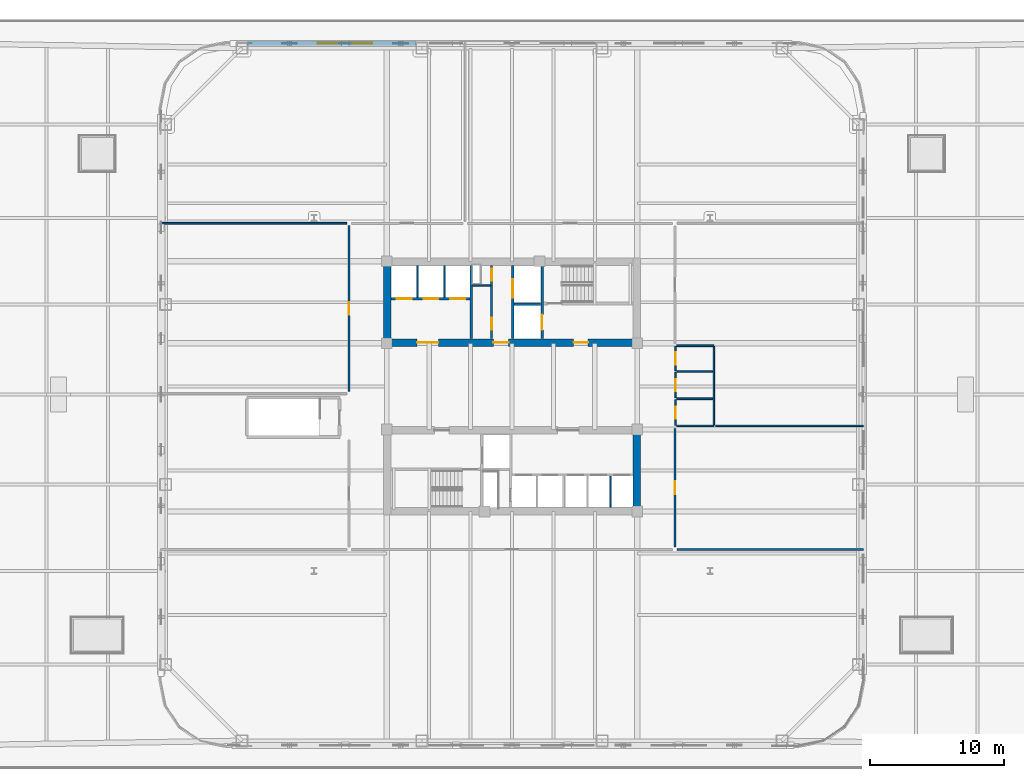
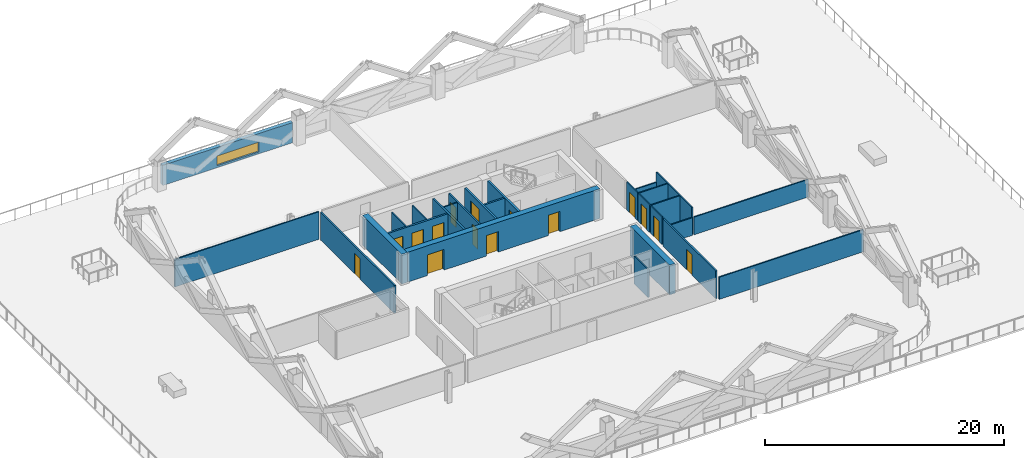
# One storey, part 8 of 17: 27 walls, 15 doors, 1 window, 16 openings.
"""IFC4 building model written with IfcOpenShell, lengths in metres."""

from ifc_helpers import new_model, si_unit, direction, frame, frame_2d, origin, place, context, subcontext, project, spatial, rectangle, extrude, material, layer, layer_set, type_object, element, fill, save


model = new_model("IFC4")

# Units and contexts
model_context = context("Model", 3, precision=1e-05, world=origin(), true_north=direction((0.0, 1.0)))
body_context = subcontext(model_context, "Body", "Model", "MODEL_VIEW")
ifc_project = project(units=[si_unit("LENGTHUNIT", "METRE"), si_unit("AREAUNIT", "SQUARE_METRE"), si_unit("VOLUMEUNIT", "CUBIC_METRE"), si_unit("PLANEANGLEUNIT", "RADIAN"), si_unit("MASSUNIT", "GRAM", prefix="KILO")], contexts=[model_context])

# Site, building, storey
site_placement = place(None, origin())
site = spatial("IfcSite", under=ifc_project, at=site_placement, CompositionType="ELEMENT")
building_placement = place(site_placement, origin())
building = spatial("IfcBuilding", under=site, at=building_placement, Name="Qhalaya Broadcast Tower", CompositionType="ELEMENT")
storey_placement = place(building_placement, frame((0.0, 0.0, 26.10009765625)))
storey = spatial("IfcBuildingStorey", under=building, at=storey_placement, Name="L06", CompositionType="ELEMENT", Elevation=26.10009765625)

# Wall, openings, doors
ifc_material_1 = material(Name="Gypsum Acoustic Partition")
ifc_layer_1 = layer(ifc_material_1, 0.14990234375, Name="Gypsum Acoustic Partition")
ifc_layer_set_1 = layer_set([ifc_layer_1], Name="Gypsum Acoustic Partition")
wall_type_1 = type_object("IfcWallType", Name="Corridor & Tenancy Acoustic Partition 150", PredefinedType="PARTITIONING", material=ifc_layer_set_1)
wall_1_placement = place(storey_placement, frame((-1.52001953125, 4.169921875, 0.0), z_axis=(0.0, 0.0, 1.0), x_axis=(0.0, 1.0, 0.0)))
wall_1 = element("IfcWall", 1, at=wall_1_placement, inside=storey, type_object=wall_type_1, Name="L06 Partition Wall NCW-SVL", PredefinedType="PARTITIONING", context=body_context, shape_type="SweptSolid", body=[
    extrude(rectangle(XDim=5.4599609375, YDim=0.14990234375, at=frame_2d((2.72998046875, 0.0))), origin(), (0.0, 0.0, 1.0), 2.829833984375),
])
opening_1_placement = place(wall_1_placement, frame((4.330078125, 0.0, 0.0)))
opening_1 = element("IfcOpeningElement", 2, at=opening_1_placement, cuts=wall_1, Name="Opening D06", PredefinedType="OPENING", context=body_context, shape_type="SweptSolid", body=[
    extrude(rectangle(XDim=0.89990234375, YDim=2.050048828125, at=frame_2d((0.449951171875, 1.02490234375))), frame((0.0, 0.0869140625, 0.0), z_axis=(0.0, -1.0, 0.0), x_axis=(1.0, 0.0, 0.0)), (0.0, 0.0, 1.0), 0.173828125),
])
opening_2_placement = place(wall_1_placement, frame((0.64990234375, 0.0, 0.0)))
opening_2 = element("IfcOpeningElement", 3, at=opening_2_placement, cuts=wall_1, Name="Opening D06", PredefinedType="OPENING", context=body_context, shape_type="SweptSolid", body=[
    extrude(rectangle(XDim=0.89990234375, YDim=2.050048828125, at=frame_2d((0.449951171875, 1.02490234375))), frame((0.0, 0.0869140625, 0.0), z_axis=(0.0, -1.0, 0.0), x_axis=(1.0, 0.0, 0.0)), (0.0, 0.0, 1.0), 0.173828125),
])
ifc_material_2 = material(Name="Fire-Rated Steel Door", Category="steel")
door_type_1 = type_object("IfcDoorType", Name="Riser & Electrical Shaft Access Door D06", OperationType="NOTDEFINED", PredefinedType="DOOR", material=ifc_material_2)
door_1_placement = place(opening_1_placement, origin())
door_1 = element("IfcDoor", 4, at=door_1_placement, inside=storey, type_object=door_type_1, Name="L06 Riser Shaft Access Door D-NRSR", OperationType="SINGLE_SWING_RIGHT", OverallHeight=2.050048828125, OverallWidth=0.89990234375, PredefinedType="DOOR", context=body_context, shape_type="SweptSolid", body=[
    extrude(rectangle(XDim=0.89990234375, YDim=2.050048828125, at=frame_2d((0.449951171875, 1.02490234375))), frame((0.0, 0.02490234375, 0.0), z_axis=(0.0, -1.0, 0.0), x_axis=(1.0, 0.0, 0.0)), (0.0, 0.0, 1.0), 0.050048828125),
])
fill(opening_1, door_1)
door_2_placement = place(opening_2_placement, origin())
door_2 = element("IfcDoor", 5, at=door_2_placement, inside=storey, type_object=door_type_1, Name="L06 Door D-NCST", OperationType="SINGLE_SWING_LEFT", OverallHeight=2.050048828125, OverallWidth=0.89990234375, PredefinedType="DOOR", context=body_context, shape_type="SweptSolid", body=[
    extrude(rectangle(XDim=0.89990234375, YDim=2.050048828125, at=frame_2d((0.449951171875, 1.02490234375))), frame((0.0, 0.02490234375, 0.0), z_axis=(0.0, -1.0, 0.0), x_axis=(1.0, 0.0, 0.0)), (0.0, 0.0, 1.0), 0.050048828125),
])
fill(opening_2, door_2)

# Wall, opening, door
wall_2_placement = place(storey_placement, frame((-12.199951171875, 0.22998046875, 0.0), z_axis=(0.0, 0.0, 1.0), x_axis=(0.0, 1.0, 0.0)))
wall_2 = element("IfcWall", 6, at=wall_2_placement, inside=storey, type_object=wall_type_1, Name="L06 Partition Wall W-COR-05", PredefinedType="PARTITIONING", context=body_context, shape_type="SweptSolid", body=[
    extrude(rectangle(XDim=12.39013671875, YDim=0.14990234375, at=frame_2d((6.195068359375, 0.0))), origin(), (0.0, 0.0, 1.0), 2.829833984375),
])
opening_3_placement = place(wall_2_placement, frame((5.719970703125, 0.0, 0.0)))
opening_3 = element("IfcOpeningElement", 7, at=opening_3_placement, cuts=wall_2, Name="Opening D10", PredefinedType="OPENING", context=body_context, shape_type="SweptSolid", body=[
    extrude(rectangle(XDim=0.949951171875, YDim=2.10009765625, at=frame_2d((0.47509765625, 1.050048828125))), frame((0.0, 0.0869140625, 0.0), z_axis=(0.0, -1.0, 0.0), x_axis=(1.0, 0.0, 0.0)), (0.0, 0.0, 1.0), 0.173828125),
])
ifc_material_3 = material(Name="Timber Veneer Acoustic Door", Category="wood")
door_type_2 = type_object("IfcDoorType", Name="Cellular Office & Edit Booth Door D10", OperationType="NOTDEFINED", PredefinedType="DOOR", material=ifc_material_3)
door_3_placement = place(opening_3_placement, origin())
door_3 = element("IfcDoor", 8, at=door_3_placement, inside=storey, type_object=door_type_2, Name="L06 Door D-RM05", OperationType="SINGLE_SWING_RIGHT", OverallHeight=2.10009765625, OverallWidth=0.949951171875, PredefinedType="DOOR", context=body_context, shape_type="SweptSolid", body=[
    extrude(rectangle(XDim=0.949951171875, YDim=2.10009765625, at=frame_2d((0.47509765625, 1.050048828125))), frame((0.0, 0.02490234375, 0.0), z_axis=(0.0, -1.0, 0.0), x_axis=(1.0, 0.0, 0.0)), (0.0, 0.0, 1.0), 0.050048828125),
])
fill(opening_3, door_3)

wall_3_placement = place(storey_placement, frame((12.199951171875, -11.39990234375, 0.0), z_axis=(0.0, 0.0, 1.0), x_axis=(0.0, 1.0, 0.0)))
wall_3 = element("IfcWall", 9, at=wall_3_placement, inside=storey, type_object=wall_type_1, Name="L06 Partition Wall W-COR-06", PredefinedType="PARTITIONING", context=body_context, shape_type="SweptSolid", body=[
    extrude(rectangle(XDim=8.83984375, YDim=0.14990234375, at=frame_2d((4.419921875, 0.0))), origin(), (0.0, 0.0, 1.0), 2.829833984375),
])
opening_4_placement = place(wall_3_placement, frame((3.945068359375, 0.0, 0.0)))
opening_4 = element("IfcOpeningElement", 10, at=opening_4_placement, cuts=wall_3, Name="Opening D10", PredefinedType="OPENING", context=body_context, shape_type="SweptSolid", body=[
    extrude(rectangle(XDim=0.949951171875, YDim=2.10009765625, at=frame_2d((0.47509765625, 1.050048828125))), frame((0.0, 0.0869140625, 0.0), z_axis=(0.0, -1.0, 0.0), x_axis=(1.0, 0.0, 0.0)), (0.0, 0.0, 1.0), 0.173828125),
])
door_4_placement = place(opening_4_placement, origin())
door_4 = element("IfcDoor", 11, at=door_4_placement, inside=storey, type_object=door_type_2, Name="L06 Door D-RM06", OperationType="SINGLE_SWING_LEFT", OverallHeight=2.10009765625, OverallWidth=0.949951171875, PredefinedType="DOOR", context=body_context, shape_type="SweptSolid", body=[
    extrude(rectangle(XDim=0.949951171875, YDim=2.10009765625, at=frame_2d((0.47509765625, 1.050048828125))), frame((0.0, 0.02490234375, 0.0), z_axis=(0.0, -1.0, 0.0), x_axis=(1.0, 0.0, 0.0)), (0.0, 0.0, 1.0), 0.050048828125),
])
fill(opening_4, door_4)

# Wall, opening, window
ifc_material_4 = material(Name="Precast Concrete C40/50", Category="concrete")
ifc_layer_2 = layer(ifc_material_4, 0.360107421875, Name="Precast Concrete C40/50")
ifc_layer_set_2 = layer_set([ifc_layer_2], Name="Precast Concrete C40/50")
wall_type_2 = type_object("IfcWallType", Name="Insulated Precast Terracotta Exterior Wall 360", PredefinedType="SOLIDWALL", material=ifc_layer_set_2)
wall_4_placement = place(storey_placement, frame((-19.761962890625, 26.260009765625, 0.0), z_axis=(0.0, 0.0, 1.0), x_axis=(1.0, 0.0, 0.0)))
wall_4 = element("IfcWall", 12, at=wall_4_placement, inside=storey, type_object=wall_type_2, Name="L06 Exoskeleton Diagrid Infill Wall N1", PredefinedType="SOLIDWALL", context=body_context, shape_type="SweptSolid", body=[
    extrude(rectangle(XDim=12.57861328125, YDim=0.360107421875, at=frame_2d((6.289306640625, 0.0))), origin(), (0.0, 0.0, 1.0), 2.06689453125),
])
opening_5_placement = place(wall_4_placement, frame((5.25, 0.0, 0.199951171875)))
opening_5 = element("IfcOpeningElement", 13, at=opening_5_placement, cuts=wall_4, Name="Opening W11", PredefinedType="OPENING", context=body_context, shape_type="SweptSolid", body=[
    extrude(rectangle(XDim=4.050048828125, YDim=1.0, at=frame_2d((2.02490234375, 0.5))), frame((0.0, 0.192138671875, 0.0), z_axis=(0.0, -1.0, 0.0), x_axis=(1.0, 0.0, 0.0)), (0.0, 0.0, 1.0), 0.384033203125),
])
ifc_material_5 = material(Name="Solar-Control Low-E Triple Glazing", Category="glass")
window_type = type_object("IfcWindowType", Name="Odd-Block Diagrid Infill Window W11", PartitioningType="SINGLE_PANEL", PredefinedType="WINDOW", material=ifc_material_5)
window_placement = place(opening_5_placement, origin())
window = element("IfcWindow", 14, at=window_placement, inside=storey, type_object=window_type, Name="L06 Diagrid Infill Window W11-N1", OverallHeight=1.0, OverallWidth=4.050048828125, PartitioningType="SINGLE_PANEL", PredefinedType="WINDOW", context=body_context, shape_type="SweptSolid", body=[
    extrude(rectangle(XDim=4.050048828125, YDim=1.0, at=frame_2d((2.02490234375, 0.5))), frame((0.0, 0.030029296875, 0.0), z_axis=(0.0, -1.0, 0.0), x_axis=(1.0, 0.0, 0.0)), (0.0, 0.0, 1.0), 0.06005859375),
])
fill(opening_5, window)

# Wall, opening, door
ifc_material_6 = material(Name="Concrete C50/60", Category="concrete")
ifc_layer_3 = layer(ifc_material_6, 0.199951171875, Name="Concrete C50/60")
ifc_layer_set_3 = layer_set([ifc_layer_3], Name="Concrete C50/60")
wall_type_3 = type_object("IfcWallType", Name="Load-Bearing Stair Shaft Wall 200", PredefinedType="SHEAR", material=ifc_layer_set_3)
wall_5_placement = place(storey_placement, frame((2.25, 4.169921875, 0.0), z_axis=(0.0, 0.0, 1.0), x_axis=(0.0, 1.0, 0.0)))
wall_5 = element("IfcWall", 15, at=wall_5_placement, inside=storey, type_object=wall_type_3, Name="L06 Stair Core Shear Wall NCW-FF", PredefinedType="SHEAR", context=body_context, shape_type="SweptSolid", body=[
    extrude(rectangle(XDim=5.4599609375, YDim=0.199951171875, at=frame_2d((2.72998046875, 0.0))), origin(), (0.0, 0.0, 1.0), 2.829833984375),
])
opening_6_placement = place(wall_5_placement, frame((0.64990234375, 0.0, 0.0)))
opening_6 = element("IfcOpeningElement", 16, at=opening_6_placement, cuts=wall_5, Name="Opening LD2", PredefinedType="OPENING", context=body_context, shape_type="SweptSolid", body=[
    extrude(rectangle(XDim=1.14990234375, YDim=2.080078125, at=frame_2d((0.574951171875, 1.0400390625))), frame((0.0, 0.112060546875, 0.0), z_axis=(0.0, -1.0, 0.0), x_axis=(1.0, 0.0, 0.0)), (0.0, 0.0, 1.0), 0.223876953125),
])
ifc_material_7 = material(Name="Brushed Stainless Steel Lift Door", Category="steel")
door_type_3 = type_object("IfcDoorType", Name="Firefighting Lift Sliding Landing Door LD2", OperationType="DOUBLE_DOOR_SLIDING", PredefinedType="DOOR", material=ifc_material_7)
door_5_placement = place(opening_6_placement, origin())
door_5 = element("IfcDoor", 17, at=door_5_placement, inside=storey, type_object=door_type_3, Name="L06 Door LD-FF1", OperationType="DOUBLE_DOOR_SLIDING", OverallHeight=2.080078125, OverallWidth=1.14990234375, PredefinedType="DOOR", context=body_context, shape_type="SweptSolid", body=[
    extrude(rectangle(XDim=1.14990234375, YDim=2.080078125, at=frame_2d((0.574951171875, 1.0400390625))), frame((0.0, 0.02490234375, 0.0), z_axis=(0.0, -1.0, 0.0), x_axis=(1.0, 0.0, 0.0)), (0.0, 0.0, 1.0), 0.050048828125),
])
fill(opening_6, door_5)

# Wall, openings, doors
ifc_material_8 = material(Name="Concrete C60/75", Category="concrete")
ifc_layer_4 = layer(ifc_material_8, 0.550048828125, Name="Concrete C60/75")
ifc_layer_set_4 = layer_set([ifc_layer_4], Name="Concrete C60/75")
wall_type_4 = type_object("IfcWallType", Name="Lower Split-Core Shear Wall 550", PredefinedType="SHEAR", material=ifc_layer_set_4)
wall_6_placement = place(storey_placement, frame((-9.60009765625, 3.875, 0.0), z_axis=(0.0, 0.0, 1.0), x_axis=(1.0, 0.0, 0.0)))
wall_6 = element("IfcWall", 18, at=wall_6_placement, inside=storey, type_object=wall_type_4, Name="L06 Split-Core Shear Wall CW-NS", PredefinedType="SHEAR", context=body_context, shape_type="SweptSolid", body=[
    extrude(rectangle(XDim=19.2001953125, YDim=0.550048828125, at=frame_2d((9.60009765625, 0.0))), origin(), (0.0, 0.0, 1.0), 3.0498046875),
])
opening_7_placement = place(wall_6_placement, frame((14.199951171875, 0.0, 0.0)))
opening_7 = element("IfcOpeningElement", 19, at=opening_7_placement, cuts=wall_6, Name="Opening D04", PredefinedType="OPENING", context=body_context, shape_type="SweptSolid", body=[
    extrude(rectangle(XDim=1.10009765625, YDim=2.080078125, at=frame_2d((0.550048828125, 1.0400390625))), frame((0.0, 0.287109375, 0.0), z_axis=(0.0, -1.0, 0.0), x_axis=(1.0, 0.0, 0.0)), (0.0, 0.0, 1.0), 0.573974609375),
])
opening_8_placement = place(wall_6_placement, frame((8.199951171875, 0.0, 0.0)))
opening_8 = element("IfcOpeningElement", 20, at=opening_8_placement, cuts=wall_6, Name="Opening D05", PredefinedType="OPENING", context=body_context, shape_type="SweptSolid", body=[
    extrude(rectangle(XDim=1.14990234375, YDim=2.10009765625, at=frame_2d((0.574951171875, 1.050048828125))), frame((0.0, 0.287109375, 0.0), z_axis=(0.0, -1.0, 0.0), x_axis=(1.0, 0.0, 0.0)), (0.0, 0.0, 1.0), 0.573974609375),
])
opening_9_placement = place(wall_6_placement, frame((2.5, 0.0, 0.0)))
opening_9 = element("IfcOpeningElement", 21, at=opening_9_placement, cuts=wall_6, Name="Opening D07", PredefinedType="OPENING", context=body_context, shape_type="SweptSolid", body=[
    extrude(rectangle(XDim=1.60009765625, YDim=2.1201171875, at=frame_2d((0.800048828125, 1.06005859375))), frame((0.0, 0.287109375, 0.0), z_axis=(0.0, -1.0, 0.0), x_axis=(1.0, 0.0, 0.0)), (0.0, 0.0, 1.0), 0.573974609375),
])
door_type_4 = type_object("IfcDoorType", Name="Firefighting Lobby Rated Door D04", OperationType="NOTDEFINED", PredefinedType="DOOR", material=ifc_material_2)
door_6_placement = place(opening_7_placement, origin())
door_6 = element("IfcDoor", 22, at=door_6_placement, inside=storey, type_object=door_type_4, Name="L06 Door D-NFF", OperationType="SINGLE_SWING_RIGHT", OverallHeight=2.080078125, OverallWidth=1.10009765625, PredefinedType="DOOR", context=body_context, shape_type="SweptSolid", body=[
    extrude(rectangle(XDim=1.10009765625, YDim=2.080078125, at=frame_2d((0.550048828125, 1.0400390625))), frame((0.0, 0.02490234375, 0.0), z_axis=(0.0, -1.0, 0.0), x_axis=(1.0, 0.0, 0.0)), (0.0, 0.0, 1.0), 0.050048828125),
])
fill(opening_7, door_6)
ifc_material_9 = material(Name="Anodised Aluminium Glazed Door", Category="aluminium")
door_type_5 = type_object("IfcDoorType", Name="Passenger Lift Lobby Double Glazed Door D07", OperationType="DOUBLE_DOOR_SINGLE_SWING", PredefinedType="DOOR", material=ifc_material_9)
door_7_placement = place(opening_9_placement, origin())
door_7 = element("IfcDoor", 23, at=door_7_placement, inside=storey, type_object=door_type_5, Name="L06 Door D-NPLL", OperationType="DOUBLE_DOOR_SINGLE_SWING", OverallHeight=2.1201171875, OverallWidth=1.60009765625, PredefinedType="DOOR", context=body_context, shape_type="SweptSolid", body=[
    extrude(rectangle(XDim=1.60009765625, YDim=2.1201171875, at=frame_2d((0.800048828125, 1.06005859375))), frame((0.0, 0.02490234375, 0.0), z_axis=(0.0, -1.0, 0.0), x_axis=(1.0, 0.0, 0.0)), (0.0, 0.0, 1.0), 0.050048828125),
])
fill(opening_9, door_7)
door_type_6 = type_object("IfcDoorType", Name="Refuge & Plant Room Fire Door D05", OperationType="NOTDEFINED", PredefinedType="DOOR", material=ifc_material_2)
door_8_placement = place(opening_8_placement, origin())
door_8 = element("IfcDoor", 24, at=door_8_placement, inside=storey, type_object=door_type_6, Name="L06 Door D-NSVL", OperationType="SINGLE_SWING_LEFT", OverallHeight=2.10009765625, OverallWidth=1.14990234375, PredefinedType="DOOR", context=body_context, shape_type="SweptSolid", body=[
    extrude(rectangle(XDim=1.14990234375, YDim=2.10009765625, at=frame_2d((0.574951171875, 1.050048828125))), frame((0.0, 0.02490234375, 0.0), z_axis=(0.0, -1.0, 0.0), x_axis=(1.0, 0.0, 0.0)), (0.0, 0.0, 1.0), 0.050048828125),
])
fill(opening_8, door_8)

# Walls
wall_7_placement = place(storey_placement, frame((-9.324951171875, 3.60009765625, 0.0), z_axis=(0.0, 0.0, 1.0), x_axis=(0.0, 1.0, 0.0)))
element("IfcWall", 25, at=wall_7_placement, inside=storey, type_object=wall_type_4, Name="L06 Split-Core Shear Wall CW-NW", PredefinedType="SHEAR", context=body_context, shape_type="SweptSolid", body=[
    extrude(rectangle(XDim=6.599853515625, YDim=0.550048828125, at=frame_2d((3.2998046875, 0.0))), origin(), (0.0, 0.0, 1.0), 3.0498046875),
])
wall_8_placement = place(storey_placement, frame((9.324951171875, -9.0, 0.0), z_axis=(0.0, 0.0, 1.0), x_axis=(0.0, 1.0, 0.0)))
element("IfcWall", 26, at=wall_8_placement, inside=storey, type_object=wall_type_4, Name="L06 Split-Core Shear Wall CW-SE", PredefinedType="SHEAR", context=body_context, shape_type="SweptSolid", body=[
    extrude(rectangle(XDim=6.60009765625, YDim=0.550048828125, at=frame_2d((3.300048828125, 0.0))), origin(), (0.0, 0.0, 1.0), 3.0498046875),
])
ifc_layer_5 = layer(ifc_material_1, 0.1201171875, Name="Gypsum Acoustic Partition")
ifc_layer_set_5 = layer_set([ifc_layer_5], Name="Gypsum Acoustic Partition")
wall_type_5 = type_object("IfcWallType", Name="Office, Booth & Sanitary Partition 120", PredefinedType="PARTITIONING", material=ifc_layer_set_5)
wall_9_placement = place(storey_placement, frame((-2.9599609375, 8.14990234375, 0.0), z_axis=(0.0, 0.0, 1.0), x_axis=(1.0, 0.0, 0.0)))
element("IfcWall", 27, at=wall_9_placement, inside=storey, type_object=wall_type_5, Name="L06 Partition Wall NCW-VA", PredefinedType="PARTITIONING", context=body_context, shape_type="SweptSolid", body=[
    extrude(rectangle(XDim=1.35986328125, YDim=0.1201171875, at=frame_2d((0.679931640625, 0.0))), origin(), (0.0, 0.0, 1.0), 2.829833984375),
])
for number, where, z_axis, x_axis, name in (
    (28, (-7.06005859375, 7.25, 0.0), (0.0, 0.0, 1.0), (0.0, 1.0, 0.0), "L06 Partition Wall NCW-PD1"),
    (29, (-5.06005859375, 7.25, 0.0), (0.0, 0.0, 1.0), (0.0, 1.0, 0.0), "L06 Partition Wall NCW-PD2"),
):
    element("IfcWall", number, at=place(storey_placement, frame(where, z_axis=z_axis, x_axis=x_axis)), inside=storey, type_object=wall_type_5, Name=name, PredefinedType="PARTITIONING", context=body_context, shape_type="SweptSolid", body=[
        extrude(rectangle(XDim=2.3798828125, YDim=0.1201171875, at=frame_2d((1.18994140625, 0.0))), origin(), (0.0, 0.0, 1.0), 2.829833984375),
    ])
wall_10_placement = place(storey_placement, frame((7.360107421875, -8.429931640625, 0.0), z_axis=(0.0, 0.0, 1.0), x_axis=(0.0, 1.0, 0.0)))
element("IfcWall", 30, at=wall_10_placement, inside=storey, type_object=wall_type_5, Name="L06 Partition Wall SCW-HD7", PredefinedType="PARTITIONING", context=body_context, shape_type="SweptSolid", body=[
    extrude(rectangle(XDim=2.329833984375, YDim=0.1201171875, at=frame_2d((1.1650390625, 0.0))), origin(), (0.0, 0.0, 1.0), 2.829833984375),
])

# Wall, opening, door
wall_11_placement = place(storey_placement, frame((12.219970703125, -2.320068359375, 0.0), z_axis=(0.0, 0.0, 1.0), x_axis=(0.0, 1.0, 0.0)))
wall_11 = element("IfcWall", 31, at=wall_11_placement, inside=storey, type_object=wall_type_5, Name="L06 Partition Wall W-WCWA", PredefinedType="PARTITIONING", context=body_context, shape_type="SweptSolid", body=[
    extrude(rectangle(XDim=1.940185546875, YDim=0.1201171875, at=frame_2d((0.97021484375, 0.0))), origin(), (0.0, 0.0, 1.0), 2.829833984375),
])
opening_10_placement = place(wall_11_placement, frame((0.4951171875, 0.0, 0.0)))
opening_10 = element("IfcOpeningElement", 32, at=opening_10_placement, cuts=wall_11, Name="Opening D12", PredefinedType="OPENING", context=body_context, shape_type="SweptSolid", body=[
    extrude(rectangle(XDim=0.919921875, YDim=2.10009765625, at=frame_2d((0.4599609375, 1.050048828125))), frame((0.0, 0.072021484375, 0.0), z_axis=(0.0, -1.0, 0.0), x_axis=(1.0, 0.0, 0.0)), (0.0, 0.0, 1.0), 0.14404296875),
])
door_type_7 = type_object("IfcDoorType", Name="Accessible WC & Restroom Door D12", OperationType="NOTDEFINED", PredefinedType="DOOR", material=ifc_material_3)
door_9_placement = place(opening_10_placement, origin())
door_9 = element("IfcDoor", 33, at=door_9_placement, inside=storey, type_object=door_type_7, Name="L06 Door D-WCA", OperationType="SINGLE_SWING_LEFT", OverallHeight=2.10009765625, OverallWidth=0.919921875, PredefinedType="DOOR", context=body_context, shape_type="SweptSolid", body=[
    extrude(rectangle(XDim=0.919921875, YDim=2.10009765625, at=frame_2d((0.4599609375, 1.050048828125))), frame((0.0, 0.02490234375, 0.0), z_axis=(0.0, -1.0, 0.0), x_axis=(1.0, 0.0, 0.0)), (0.0, 0.0, 1.0), 0.050048828125),
])
fill(opening_10, door_9)

wall_12_placement = place(storey_placement, frame((12.219970703125, -0.25, 0.0), z_axis=(0.0, 0.0, 1.0), x_axis=(0.0, 1.0, 0.0)))
wall_12 = element("IfcWall", 34, at=wall_12_placement, inside=storey, type_object=wall_type_5, Name="L06 Partition Wall W-WCWM", PredefinedType="PARTITIONING", context=body_context, shape_type="SweptSolid", body=[
    extrude(rectangle(XDim=1.89990234375, YDim=0.1201171875, at=frame_2d((0.949951171875, 0.0))), origin(), (0.0, 0.0, 1.0), 2.829833984375),
])
opening_11_placement = place(wall_12_placement, frame((0.47509765625, 0.0, 0.0)))
opening_11 = element("IfcOpeningElement", 35, at=opening_11_placement, cuts=wall_12, Name="Opening D12", PredefinedType="OPENING", context=body_context, shape_type="SweptSolid", body=[
    extrude(rectangle(XDim=0.919921875, YDim=2.10009765625, at=frame_2d((0.4599609375, 1.050048828125))), frame((0.0, 0.072021484375, 0.0), z_axis=(0.0, -1.0, 0.0), x_axis=(1.0, 0.0, 0.0)), (0.0, 0.0, 1.0), 0.14404296875),
])
door_10_placement = place(opening_11_placement, origin())
door_10 = element("IfcDoor", 36, at=door_10_placement, inside=storey, type_object=door_type_7, Name="L06 Door D-WCM", OperationType="SINGLE_SWING_RIGHT", OverallHeight=2.10009765625, OverallWidth=0.919921875, PredefinedType="DOOR", context=body_context, shape_type="SweptSolid", body=[
    extrude(rectangle(XDim=0.919921875, YDim=2.10009765625, at=frame_2d((0.4599609375, 1.050048828125))), frame((0.0, 0.02490234375, 0.0), z_axis=(0.0, -1.0, 0.0), x_axis=(1.0, 0.0, 0.0)), (0.0, 0.0, 1.0), 0.050048828125),
])
fill(opening_11, door_10)

wall_13_placement = place(storey_placement, frame((12.219970703125, 1.780029296875, 0.0), z_axis=(0.0, 0.0, 1.0), x_axis=(0.0, 1.0, 0.0)))
wall_13 = element("IfcWall", 37, at=wall_13_placement, inside=storey, type_object=wall_type_5, Name="L06 Partition Wall W-WCWF", PredefinedType="PARTITIONING", context=body_context, shape_type="SweptSolid", body=[
    extrude(rectangle(XDim=1.830078125, YDim=0.1201171875, at=frame_2d((0.9150390625, 0.0))), origin(), (0.0, 0.0, 1.0), 2.829833984375),
])
opening_12_placement = place(wall_13_placement, frame((0.43994140625, 0.0, 0.0)))
opening_12 = element("IfcOpeningElement", 38, at=opening_12_placement, cuts=wall_13, Name="Opening D12", PredefinedType="OPENING", context=body_context, shape_type="SweptSolid", body=[
    extrude(rectangle(XDim=0.919921875, YDim=2.10009765625, at=frame_2d((0.4599609375, 1.050048828125))), frame((0.0, 0.072021484375, 0.0), z_axis=(0.0, -1.0, 0.0), x_axis=(1.0, 0.0, 0.0)), (0.0, 0.0, 1.0), 0.14404296875),
])
door_11_placement = place(opening_12_placement, origin())
door_11 = element("IfcDoor", 39, at=door_11_placement, inside=storey, type_object=door_type_7, Name="L06 Door D-WCF", OperationType="SINGLE_SWING_LEFT", OverallHeight=2.10009765625, OverallWidth=0.919921875, PredefinedType="DOOR", context=body_context, shape_type="SweptSolid", body=[
    extrude(rectangle(XDim=0.919921875, YDim=2.10009765625, at=frame_2d((0.4599609375, 1.050048828125))), frame((0.0, 0.02490234375, 0.0), z_axis=(0.0, -1.0, 0.0), x_axis=(1.0, 0.0, 0.0)), (0.0, 0.0, 1.0), 0.050048828125),
])
fill(opening_12, door_11)

# Walls
wall_14_placement = place(storey_placement, frame((15.10009765625, -2.320068359375, 0.0), z_axis=(0.0, 0.0, 1.0), x_axis=(0.0, 1.0, 0.0)))
element("IfcWall", 40, at=wall_14_placement, inside=storey, type_object=wall_type_5, Name="L06 Partition Wall W-WCE", PredefinedType="PARTITIONING", context=body_context, shape_type="SweptSolid", body=[
    extrude(rectangle(XDim=5.93017578125, YDim=0.1201171875, at=frame_2d((2.965087890625, 0.0))), origin(), (0.0, 0.0, 1.0), 2.829833984375),
])
for number, where, z_axis, x_axis, name in (
    (41, (12.31005859375, -2.35009765625, 0.0), (0.0, 0.0, 1.0), (1.0, 0.0, 0.0), "L06 Partition Wall W-WCS"),
    (42, (12.31005859375, 3.639892578125, 0.0), (0.0, 0.0, 1.0), (1.0, 0.0, 0.0), "L06 Partition Wall W-WCN"),
):
    element("IfcWall", number, at=place(storey_placement, frame(where, z_axis=z_axis, x_axis=x_axis)), inside=storey, type_object=wall_type_5, Name=name, PredefinedType="PARTITIONING", context=body_context, shape_type="SweptSolid", body=[
        extrude(rectangle(XDim=2.760009765625, YDim=0.1201171875, at=frame_2d((1.3798828125, 0.0))), origin(), (0.0, 0.0, 1.0), 1.798828125),
    ])
for number, where, z_axis, x_axis, name in (
    (43, (12.31005859375, -0.320068359375, 0.0), (0.0, 0.0, 1.0), (1.0, 0.0, 0.0), "L06 Partition Wall W-WCD1"),
    (44, (12.31005859375, 1.719970703125, 0.0), (0.0, 0.0, 1.0), (1.0, 0.0, 0.0), "L06 Partition Wall W-WCD2"),
):
    element("IfcWall", number, at=place(storey_placement, frame(where, z_axis=z_axis, x_axis=x_axis)), inside=storey, type_object=wall_type_5, Name=name, PredefinedType="PARTITIONING", context=body_context, shape_type="SweptSolid", body=[
        extrude(rectangle(XDim=2.719970703125, YDim=0.1201171875, at=frame_2d((1.35986328125, 0.0))), origin(), (0.0, 0.0, 1.0), 2.829833984375),
    ])
wall_15_placement = place(storey_placement, frame((-26.280029296875, 12.800048828125, 0.0), z_axis=(0.0, 0.0, 1.0), x_axis=(1.0, 0.0, 0.0)))
element("IfcWall", 45, at=wall_15_placement, inside=storey, type_object=wall_type_5, Name="L06 Partition Wall W-BNDW1", PredefinedType="PARTITIONING", context=body_context, shape_type="SweptSolid", body=[
    extrude(rectangle(XDim=13.93994140625, YDim=0.1201171875, at=frame_2d((6.969970703125, 0.0))), origin(), (0.0, 0.0, 1.0), 2.829833984375),
])
wall_16_placement = place(storey_placement, frame((12.340087890625, -11.60009765625, 0.0), z_axis=(0.0, 0.0, 1.0), x_axis=(1.0, 0.0, 0.0)))
element("IfcWall", 46, at=wall_16_placement, inside=storey, type_object=wall_type_5, Name="L06 Partition Wall W-BNDE2", PredefinedType="PARTITIONING", context=body_context, shape_type="SweptSolid", body=[
    extrude(rectangle(XDim=13.93994140625, YDim=0.1201171875, at=frame_2d((6.969970703125, 0.0))), origin(), (0.0, 0.0, 1.0), 2.27392578125),
])
wall_17_placement = place(storey_placement, frame((15.239990234375, -2.35009765625, 0.0), z_axis=(0.0, 0.0, 1.0), x_axis=(1.0, 0.0, 0.0)))
element("IfcWall", 47, at=wall_17_placement, inside=storey, type_object=wall_type_5, Name="L06 Partition Wall W-DIVE-WC", PredefinedType="PARTITIONING", context=body_context, shape_type="SweptSolid", body=[
    extrude(rectangle(XDim=11.0400390625, YDim=0.1201171875, at=frame_2d((5.52001953125, 0.0))), origin(), (0.0, 0.0, 1.0), 1.798828125),
])

# Wall, opening, door
ifc_layer_6 = layer(ifc_material_1, 0.175048828125, Name="Gypsum Acoustic Partition")
ifc_layer_set_6 = layer_set([ifc_layer_6], Name="Gypsum Acoustic Partition")
wall_type_6 = type_object("IfcWallType", Name="Shaft & Riser Fire Partition 175", PredefinedType="PARTITIONING", material=ifc_layer_set_6)
wall_18_placement = place(storey_placement, frame((0.06005859375, 4.169921875, 0.0), z_axis=(0.0, 0.0, 1.0), x_axis=(0.0, 1.0, 0.0)))
wall_18 = element("IfcWall", 48, at=wall_18_placement, inside=storey, type_object=wall_type_6, Name="L06 Partition Wall NCW-SVW", PredefinedType="PARTITIONING", context=body_context, shape_type="SweptSolid", body=[
    extrude(rectangle(XDim=5.4599609375, YDim=0.175048828125, at=frame_2d((2.72998046875, 0.0))), origin(), (0.0, 0.0, 1.0), 2.829833984375),
])
opening_13_placement = place(wall_18_placement, frame((3.050048828125, 0.0, 0.0)))
opening_13 = element("IfcOpeningElement", 49, at=opening_13_placement, cuts=wall_18, Name="Opening LD3", PredefinedType="OPENING", context=body_context, shape_type="SweptSolid", body=[
    extrude(rectangle(XDim=1.39990234375, YDim=2.1201171875, at=frame_2d((0.699951171875, 1.06005859375))), frame((0.0, 0.099609375, 0.0), z_axis=(0.0, -1.0, 0.0), x_axis=(1.0, 0.0, 0.0)), (0.0, 0.0, 1.0), 0.198974609375),
])
door_type_8 = type_object("IfcDoorType", Name="Service Lift Wide Sliding Landing Door LD3", OperationType="DOUBLE_DOOR_SLIDING", PredefinedType="DOOR", material=ifc_material_7)
door_12_placement = place(opening_13_placement, origin())
door_12 = element("IfcDoor", 50, at=door_12_placement, inside=storey, type_object=door_type_8, Name="L06 Door LD-SV1", OperationType="DOUBLE_DOOR_SLIDING", OverallHeight=2.1201171875, OverallWidth=1.39990234375, PredefinedType="DOOR", context=body_context, shape_type="SweptSolid", body=[
    extrude(rectangle(XDim=1.39990234375, YDim=2.1201171875, at=frame_2d((0.699951171875, 1.06005859375))), frame((0.0, 0.02490234375, 0.0), z_axis=(0.0, -1.0, 0.0), x_axis=(1.0, 0.0, 0.0)), (0.0, 0.0, 1.0), 0.050048828125),
])
fill(opening_13, door_12)

# Walls
wall_19_placement = place(storey_placement, frame((0.159912109375, 6.75, 0.0), z_axis=(0.0, 0.0, 1.0), x_axis=(1.0, 0.0, 0.0)))
element("IfcWall", 51, at=wall_19_placement, inside=storey, type_object=wall_type_6, Name="L06 Partition Wall NCW-SVM", PredefinedType="PARTITIONING", context=body_context, shape_type="SweptSolid", body=[
    extrude(rectangle(XDim=1.97998046875, YDim=0.175048828125, at=frame_2d((0.989990234375, 0.0))), origin(), (0.0, 0.0, 1.0), 2.829833984375),
])
wall_20_placement = place(storey_placement, frame((-3.0400390625, 4.169921875, 0.0), z_axis=(0.0, 0.0, 1.0), x_axis=(0.0, 1.0, 0.0)))
element("IfcWall", 52, at=wall_20_placement, inside=storey, type_object=wall_type_6, Name="L06 Partition Wall NCW-VRW", PredefinedType="PARTITIONING", context=body_context, shape_type="SweptSolid", body=[
    extrude(rectangle(XDim=5.4599609375, YDim=0.175048828125, at=frame_2d((2.72998046875, 0.0))), origin(), (0.0, 0.0, 1.0), 2.829833984375),
])

# Wall, openings, doors
wall_21_placement = place(storey_placement, frame((-9.030029296875, 7.159912109375, 0.0), z_axis=(0.0, 0.0, 1.0), x_axis=(1.0, 0.0, 0.0)))
wall_21 = element("IfcWall", 53, at=wall_21_placement, inside=storey, type_object=wall_type_6, Name="L06 Partition Wall NCW-PLB", PredefinedType="PARTITIONING", context=body_context, shape_type="SweptSolid", body=[
    extrude(rectangle(XDim=5.909912109375, YDim=0.175048828125, at=frame_2d((2.955078125, 0.0))), origin(), (0.0, 0.0, 1.0), 2.829833984375),
])
opening_14_placement = place(wall_21_placement, frame((0.429931640625, 0.0, 0.0)))
opening_14 = element("IfcOpeningElement", 54, at=opening_14_placement, cuts=wall_21, Name="Opening LD1", PredefinedType="OPENING", context=body_context, shape_type="SweptSolid", body=[
    extrude(rectangle(XDim=1.10009765625, YDim=2.06005859375, at=frame_2d((0.550048828125, 1.030029296875))), frame((0.0, 0.099609375, 0.0), z_axis=(0.0, -1.0, 0.0), x_axis=(1.0, 0.0, 0.0)), (0.0, 0.0, 1.0), 0.198974609375),
])
opening_15_placement = place(wall_21_placement, frame((2.429931640625, 0.0, 0.0)))
opening_15 = element("IfcOpeningElement", 55, at=opening_15_placement, cuts=wall_21, Name="Opening LD1", PredefinedType="OPENING", context=body_context, shape_type="SweptSolid", body=[
    extrude(rectangle(XDim=1.10009765625, YDim=2.06005859375, at=frame_2d((0.550048828125, 1.030029296875))), frame((0.0, 0.099609375, 0.0), z_axis=(0.0, -1.0, 0.0), x_axis=(1.0, 0.0, 0.0)), (0.0, 0.0, 1.0), 0.198974609375),
])
opening_16_placement = place(wall_21_placement, frame((4.429931640625, 0.0, 0.0)))
opening_16 = element("IfcOpeningElement", 56, at=opening_16_placement, cuts=wall_21, Name="Opening LD1", PredefinedType="OPENING", context=body_context, shape_type="SweptSolid", body=[
    extrude(rectangle(XDim=1.10009765625, YDim=2.06005859375, at=frame_2d((0.550048828125, 1.030029296875))), frame((0.0, 0.099609375, 0.0), z_axis=(0.0, -1.0, 0.0), x_axis=(1.0, 0.0, 0.0)), (0.0, 0.0, 1.0), 0.198974609375),
])
door_type_9 = type_object("IfcDoorType", Name="Passenger Lift Sliding Landing Door LD1", OperationType="DOUBLE_DOOR_SLIDING", PredefinedType="DOOR", material=ifc_material_7)
door_13_placement = place(opening_14_placement, origin())
door_13 = element("IfcDoor", 57, at=door_13_placement, inside=storey, type_object=door_type_9, Name="L06 Door LD-P1", OperationType="DOUBLE_DOOR_SLIDING", OverallHeight=2.06005859375, OverallWidth=1.10009765625, PredefinedType="DOOR", context=body_context, shape_type="SweptSolid", body=[
    extrude(rectangle(XDim=1.10009765625, YDim=2.06005859375, at=frame_2d((0.550048828125, 1.030029296875))), frame((0.0, 0.02490234375, 0.0), z_axis=(0.0, -1.0, 0.0), x_axis=(1.0, 0.0, 0.0)), (0.0, 0.0, 1.0), 0.050048828125),
])
fill(opening_14, door_13)
door_14_placement = place(opening_15_placement, origin())
door_14 = element("IfcDoor", 58, at=door_14_placement, inside=storey, type_object=door_type_9, Name="L06 Door LD-P2", OperationType="DOUBLE_DOOR_SLIDING", OverallHeight=2.06005859375, OverallWidth=1.10009765625, PredefinedType="DOOR", context=body_context, shape_type="SweptSolid", body=[
    extrude(rectangle(XDim=1.10009765625, YDim=2.06005859375, at=frame_2d((0.550048828125, 1.030029296875))), frame((0.0, 0.02490234375, 0.0), z_axis=(0.0, -1.0, 0.0), x_axis=(1.0, 0.0, 0.0)), (0.0, 0.0, 1.0), 0.050048828125),
])
fill(opening_15, door_14)
door_15_placement = place(opening_16_placement, origin())
door_15 = element("IfcDoor", 59, at=door_15_placement, inside=storey, type_object=door_type_9, Name="L06 Door LD-P3", OperationType="DOUBLE_DOOR_SLIDING", OverallHeight=2.06005859375, OverallWidth=1.10009765625, PredefinedType="DOOR", context=body_context, shape_type="SweptSolid", body=[
    extrude(rectangle(XDim=1.10009765625, YDim=2.06005859375, at=frame_2d((0.550048828125, 1.030029296875))), frame((0.0, 0.02490234375, 0.0), z_axis=(0.0, -1.0, 0.0), x_axis=(1.0, 0.0, 0.0)), (0.0, 0.0, 1.0), 0.050048828125),
])
fill(opening_16, door_15)

save(model, "model.ifc")
